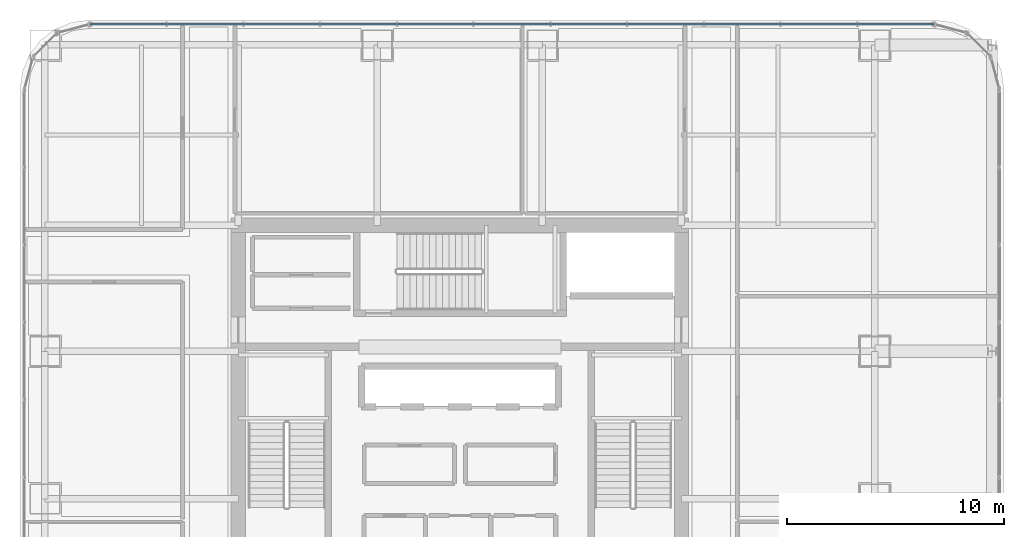
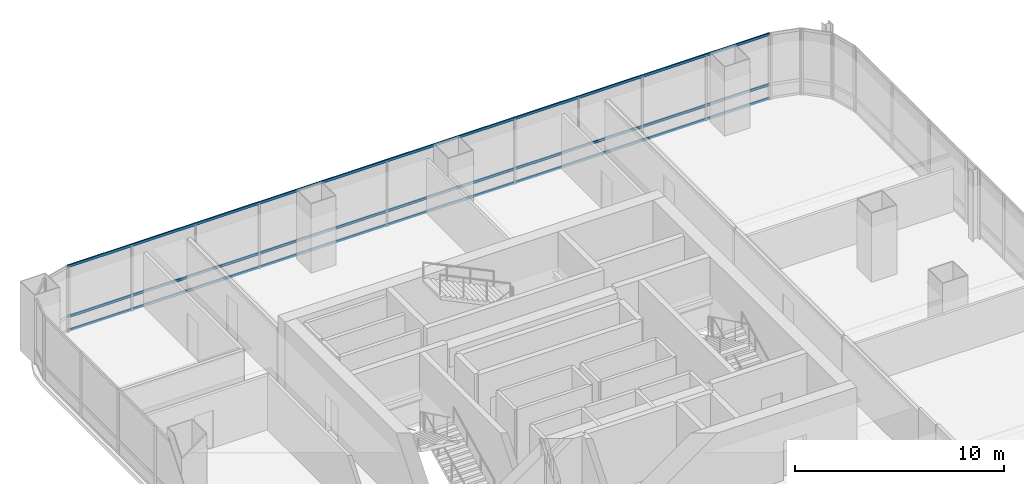
# One storey, part 23 of 36: 3 members, 1 element without a shape of its own.
"""IFC4 building model written with IfcOpenShell, lengths in metres."""

from ifc_helpers import new_model, si_unit, direction, frame, origin, origin_2d, place, context, subcontext, project, spatial, hollow_rectangle, extrude, material, material_profile, profile_set, type_object, element, aggregate, save


model = new_model("IFC4")

# Units and contexts
model_context = context("Model", 3, precision=1e-05, world=origin(), true_north=direction((0.0, 1.0)))
body_context = subcontext(model_context, "Body", "Model", "MODEL_VIEW")
ifc_project = project(units=[si_unit("LENGTHUNIT", "METRE"), si_unit("AREAUNIT", "SQUARE_METRE"), si_unit("VOLUMEUNIT", "CUBIC_METRE"), si_unit("PLANEANGLEUNIT", "RADIAN"), si_unit("MASSUNIT", "GRAM", prefix="KILO")], contexts=[model_context])

# Site, building, storey
site_placement = place(None, origin())
site = spatial("IfcSite", under=ifc_project, at=site_placement, CompositionType="ELEMENT")
building_placement = place(site_placement, origin())
building = spatial("IfcBuilding", under=site, at=building_placement, Name="Punatoya Terracotta Tower", CompositionType="ELEMENT")
storey_placement = place(building_placement, frame((0.0, 0.0, 208.64990234375)))
storey = spatial("IfcBuildingStorey", under=building, at=storey_placement, Name="L49", CompositionType="ELEMENT", Elevation=208.64990234375)

# Curtain wall, members
ifc_material_1 = material(Name="Aluminium 6063-T6 + Double Low-E Glass", Category="aluminium")
curtain_wall_type = type_object("IfcCurtainWallType", Name="CW-M2", PredefinedType="NOTDEFINED", material=ifc_material_1)
curtain_wall_placement = place(storey_placement, origin())
curtain_wall = element("IfcCurtainWall", 1, at=curtain_wall_placement, inside=storey, type_object=curtain_wall_type, Name="L49 Curtain Wall CW-L49-N09-1", PredefinedType="NOTDEFINED")
ifc_material_2 = material(Name="Aluminium 6063-T6", Category="aluminium")
ifc_material_profile = material_profile(ifc_material_2, hollow_rectangle(XDim=0.068115234375, YDim=0.14990234375, WallThickness=0.00390625, at=origin_2d()))
ifc_profile_set = profile_set([ifc_material_profile], Name="Aluminium 6063-T6")
member_type = type_object("IfcMemberType", Name="CW-TRN-TYP", PredefinedType="USERDEFINED", material=ifc_profile_set)
member_1_placement = place(storey_placement, frame((21.8369140625, 18.449951171875, 0.0400390625), z_axis=(-1.0, 0.0, 0.0), x_axis=(0.0, -1.0, 0.0)))
member_1 = element("IfcMember", 2, at=member_1_placement, type_object=member_type, Name="CW-L49-N09-1 Transom 1", ObjectType="TRANSOM", PredefinedType="USERDEFINED", context=body_context, shape_type="SweptSolid", body=[
    extrude(hollow_rectangle(XDim=0.068115234375, YDim=0.14990234375, WallThickness=0.00390625, at=origin_2d()), origin(), (0.0, 0.0, 1.0), 38.873779296875),
])
member_2_placement = place(storey_placement, frame((21.8369140625, 18.449951171875, 0.85009765625), z_axis=(-1.0, 0.0, 0.0), x_axis=(0.0, -1.0, 0.0)))
member_2 = element("IfcMember", 3, at=member_2_placement, type_object=member_type, Name="CW-L49-N09-1 Transom 2", ObjectType="TRANSOM", PredefinedType="USERDEFINED", context=body_context, shape_type="SweptSolid", body=[
    extrude(hollow_rectangle(XDim=0.068115234375, YDim=0.14990234375, WallThickness=0.00390625, at=origin_2d()), origin(), (0.0, 0.0, 1.0), 38.873779296875),
])
member_3_placement = place(storey_placement, frame((21.8369140625, 18.449951171875, 3.7900390625), z_axis=(-1.0, 0.0, 0.0), x_axis=(0.0, -1.0, 0.0)))
member_3 = element("IfcMember", 4, at=member_3_placement, type_object=member_type, Name="CW-L49-N09-1 Transom 3", ObjectType="TRANSOM", PredefinedType="USERDEFINED", context=body_context, shape_type="SweptSolid", body=[
    extrude(hollow_rectangle(XDim=0.068115234375, YDim=0.14990234375, WallThickness=0.00390625, at=origin_2d()), origin(), (0.0, 0.0, 1.0), 38.873779296875),
])
aggregate(curtain_wall, [member_1, member_2, member_3])

save(model, "model.ifc")
